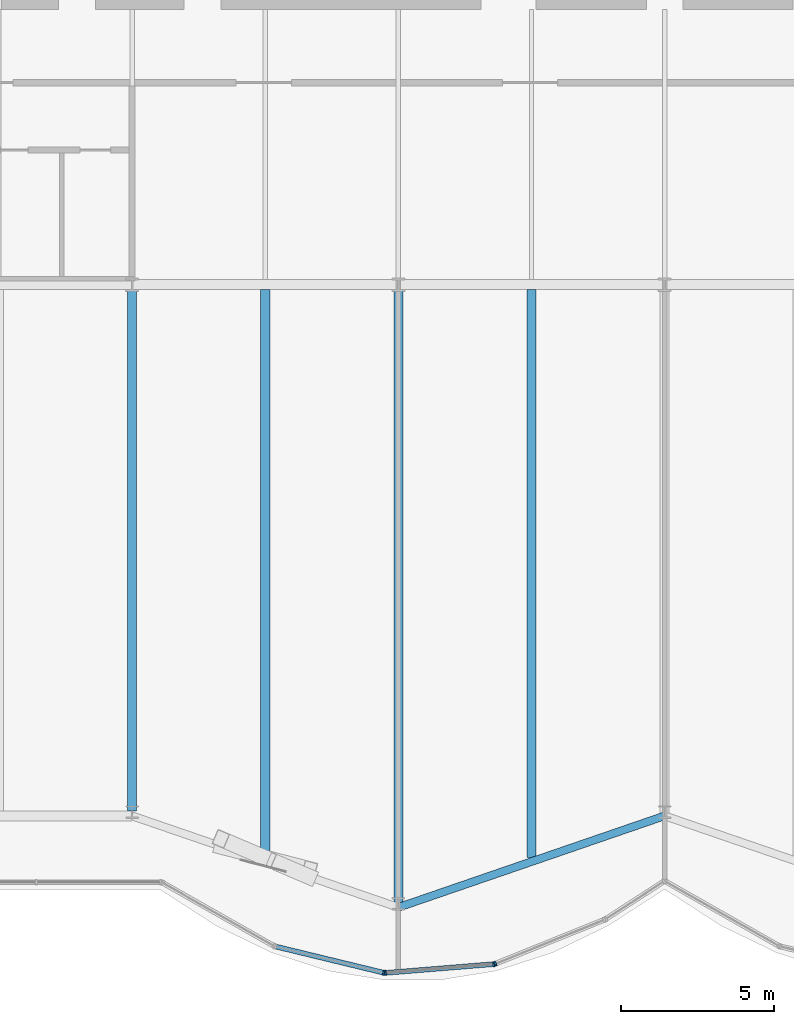
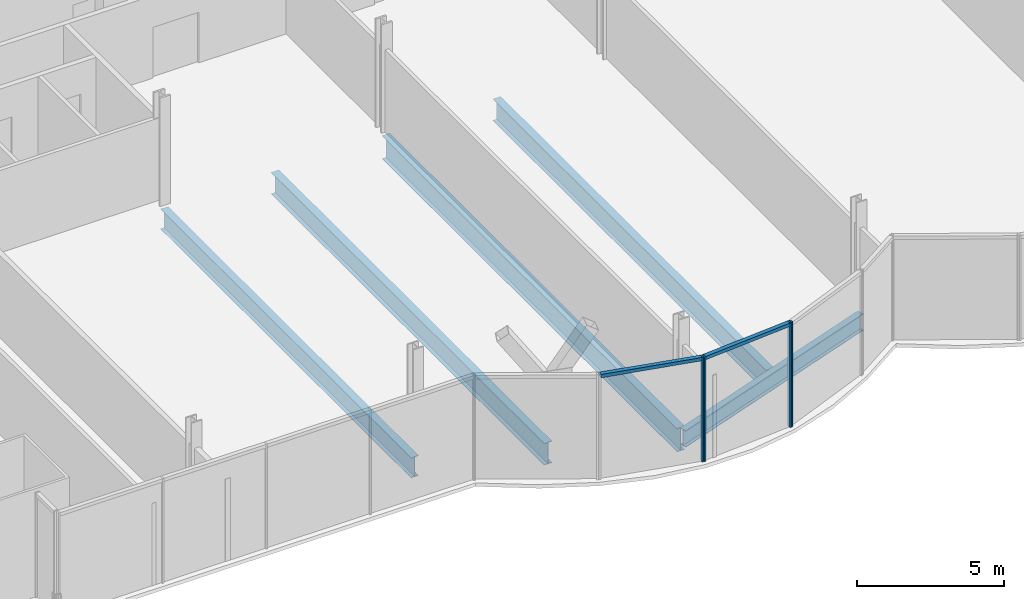
# One storey, part 5 of 22: 6 members, 5 beams, 1 element without a shape of its own.
"""IFC4 building model written with IfcOpenShell, lengths in metres."""

from ifc_helpers import new_model, si_unit, direction, frame, origin, origin_2d, place, context, subcontext, project, spatial, rectangle, i_section, extrude, material, material_profile, profile_set, type_object, element, aggregate, save


model = new_model("IFC4")

# Units and contexts
model_context = context("Model", 3, precision=1e-05, world=origin(), true_north=direction((0.0, 1.0)))
body_context = subcontext(model_context, "Body", "Model", "MODEL_VIEW")
ifc_project = project(units=[si_unit("LENGTHUNIT", "METRE"), si_unit("AREAUNIT", "SQUARE_METRE"), si_unit("VOLUMEUNIT", "CUBIC_METRE"), si_unit("PLANEANGLEUNIT", "RADIAN"), si_unit("MASSUNIT", "GRAM", prefix="KILO")], contexts=[model_context])

# Site, building, storey
site_placement = place(None, origin())
site = spatial("IfcSite", under=ifc_project, at=site_placement, CompositionType="ELEMENT")
building_placement = place(site_placement, origin())
building = spatial("IfcBuilding", under=site, at=building_placement, Name="Bicima Exchange Tower", CompositionType="ELEMENT")
storey_placement = place(building_placement, frame((0.0, 0.0, 39.5)))
storey = spatial("IfcBuildingStorey", under=building, at=storey_placement, Name="L07", CompositionType="ELEMENT", Elevation=39.5)

# Beams
ifc_material_1 = material(Name="Steel ASTM A992 Gr 50", Category="steel")
ifc_material_profile_1 = material_profile(ifc_material_1, i_section(OverallWidth=0.2919921875, OverallDepth=0.835693359375, WebThickness=0.013916015625, FlangeThickness=0.018798828125, at=origin_2d()))
ifc_profile_set_1 = profile_set([ifc_material_profile_1], Name="Steel ASTM A992 Gr 50")
beam_type_1 = type_object("IfcBeamType", Name="Floor beam W33x118", PredefinedType="JOIST", material=ifc_profile_set_1)
beam_1_placement = place(storey_placement, frame((-17.39990234375, -22.16259765625, -0.56787109375), z_axis=(0.0, -1.0, 0.0), x_axis=(1.0, 0.0, 0.0)))
element("IfcBeam", 1, at=beam_1_placement, inside=storey, type_object=beam_type_1, Name="Floor beam", PredefinedType="JOIST", context=body_context, shape_type="SweptSolid", body=[
    extrude(i_section(OverallWidth=0.2919921875, OverallDepth=0.835693359375, WebThickness=0.013916015625, FlangeThickness=0.018798828125, at=origin_2d()), origin(), (0.0, 0.0, 1.0), 17.03076171875),
])
ifc_material_profile_2 = material_profile(ifc_material_1, i_section(OverallWidth=0.3046875, OverallDepth=0.904296875, WebThickness=0.01513671875, FlangeThickness=0.02001953125, at=origin_2d()))
ifc_profile_set_2 = profile_set([ifc_material_profile_2], Name="Steel ASTM A992 Gr 50")
beam_type_2 = type_object("IfcBeamType", Name="Floor beam W36x135", PredefinedType="JOIST", material=ifc_profile_set_2)
for number, where, z_axis, x_axis, name in (
    (2, (-13.050048828125, -22.16259765625, -0.60205078125), (0.0, -1.0, 0.0), (1.0, 0.0, 0.0), "Floor beam"),
    (3, (-4.35009765625, -22.16259765625, -0.60205078125), (0.0, -1.0, 0.0), (1.0, 0.0, 0.0), "Floor beam"),
):
    element("IfcBeam", number, at=place(storey_placement, frame(where, z_axis=z_axis, x_axis=x_axis)), inside=storey, type_object=beam_type_2, Name=name, PredefinedType="JOIST", context=body_context, shape_type="SweptSolid", body=[
        extrude(i_section(OverallWidth=0.3046875, OverallDepth=0.904296875, WebThickness=0.01513671875, FlangeThickness=0.02001953125, at=origin_2d()), origin(), (0.0, 0.0, 1.0), 18.55322265625),
    ])
ifc_material_profile_3 = material_profile(ifc_material_1, i_section(OverallWidth=0.2998046875, OverallDepth=0.97021484375, WebThickness=0.01611328125, FlangeThickness=0.02099609375, at=origin_2d()))
ifc_profile_set_3 = profile_set([ifc_material_profile_3], Name="Steel ASTM A992 Gr 50")
beam_type_3 = type_object("IfcBeamType", Name="Floor beam W40x149", PredefinedType="JOIST", material=ifc_profile_set_3)
beam_2_placement = place(storey_placement, frame((-8.699951171875, -22.16259765625, -0.635009765625), z_axis=(0.0, -1.0, 0.0), x_axis=(1.0, 0.0, 0.0)))
element("IfcBeam", 4, at=beam_2_placement, inside=storey, type_object=beam_type_3, Name="Floor beam", PredefinedType="JOIST", context=body_context, shape_type="SweptSolid", body=[
    extrude(i_section(OverallWidth=0.2998046875, OverallDepth=0.97021484375, WebThickness=0.01611328125, FlangeThickness=0.02099609375, at=origin_2d()), origin(), (0.0, 0.0, 1.0), 20.048828125),
])
ifc_material_profile_4 = material_profile(ifc_material_1, i_section(OverallWidth=0.256591796875, OverallDepth=0.693359375, WebThickness=0.014404296875, FlangeThickness=0.023681640625, at=origin_2d()))
ifc_profile_set_4 = profile_set([ifc_material_profile_4], Name="Steel ASTM A992 Gr 50")
beam_type_4 = type_object("IfcBeamType", Name="Front girder W27x114", PredefinedType="BEAM", material=ifc_profile_set_4)
beam_3_placement = place(storey_placement, frame((-8.699951171875, -42.34716796875, -0.49658203125), z_axis=(0.945666456746, 0.325138359143, 0.0), x_axis=(-0.325138359143, 0.945666456746, 0.0)))
element("IfcBeam", 5, at=beam_3_placement, inside=storey, type_object=beam_type_4, Name="Front girder", PredefinedType="BEAM", context=body_context, shape_type="SweptSolid", body=[
    extrude(i_section(OverallWidth=0.256591796875, OverallDepth=0.693359375, WebThickness=0.014404296875, FlangeThickness=0.023681640625, at=origin_2d()), origin(), (0.0, 0.0, 1.0), 9.19970703125),
])

# Curtain wall, members
ifc_material_2 = material(Name="Anodised bronze aluminium", Category="aluminium")
curtain_wall_type = type_object("IfcCurtainWallType", Name="Front glass wall", PredefinedType="NOTDEFINED", material=ifc_material_2)
curtain_wall_placement = place(storey_placement, origin())
curtain_wall = element("IfcCurtainWall", 6, at=curtain_wall_placement, inside=storey, type_object=curtain_wall_type, Name="Front glass wall L07 run 6", PredefinedType="NOTDEFINED")
ifc_material_profile_5 = material_profile(ifc_material_2, rectangle(XDim=0.159912109375, YDim=0.06005859375, at=origin_2d()))
ifc_profile_set_5 = profile_set([ifc_material_profile_5], Name="Anodised bronze aluminium")
member_type_1 = type_object("IfcMemberType", Name="Front glass wall mullion 60 x 160", PredefinedType="MULLION", material=ifc_profile_set_5)
member_1_placement = place(storey_placement, frame((-9.177490234375, -44.48193359375, 0.0), z_axis=(0.0, 0.0, 1.0), x_axis=(0.235681529503, 0.971830343553, 0.0)))
member_1 = element("IfcMember", 7, at=member_1_placement, type_object=member_type_1, Name="Front glass wall mullion 2", PredefinedType="MULLION", context=body_context, shape_type="SweptSolid", body=[
    extrude(rectangle(XDim=0.159912109375, YDim=0.06005859375, at=origin_2d()), origin(), (0.0, 0.0, 1.0), 4.35009765625),
])
member_2_placement = place(storey_placement, frame((-9.118408203125, -44.486572265625, 0.0), z_axis=(0.0, 0.0, 1.0), x_axis=(-0.080588612633, 0.99674744821, 0.0)))
member_2 = element("IfcMember", 8, at=member_2_placement, type_object=member_type_1, Name="Front glass wall mullion 1", PredefinedType="MULLION", context=body_context, shape_type="SweptSolid", body=[
    extrude(rectangle(XDim=0.159912109375, YDim=0.06005859375, at=origin_2d()), origin(), (0.0, 0.0, 1.0), 4.35009765625),
])
member_3_placement = place(storey_placement, frame((-5.583984375, -44.20068359375, 0.0), z_axis=(0.0, 0.0, 1.0), x_axis=(-0.080588612633, 0.99674744821, 0.0)))
member_3 = element("IfcMember", 9, at=member_3_placement, type_object=member_type_1, Name="Front glass wall mullion 2", PredefinedType="MULLION", context=body_context, shape_type="SweptSolid", body=[
    extrude(rectangle(XDim=0.159912109375, YDim=0.06005859375, at=origin_2d()), origin(), (0.0, 0.0, 1.0), 4.35009765625),
])
member_4_placement = place(storey_placement, frame((-5.526123046875, -44.187255859375, 0.0), z_axis=(0.0, 0.0, 1.0), x_axis=(-0.374705304, 0.92714396679, 0.0)))
member_4 = element("IfcMember", 10, at=member_4_placement, type_object=member_type_1, Name="Front glass wall mullion 1", PredefinedType="MULLION", context=body_context, shape_type="SweptSolid", body=[
    extrude(rectangle(XDim=0.159912109375, YDim=0.06005859375, at=origin_2d()), origin(), (0.0, 0.0, 1.0), 4.35009765625),
])
ifc_material_profile_6 = material_profile(ifc_material_2, rectangle(XDim=0.159912109375, YDim=0.139892578125, at=origin_2d()))
ifc_profile_set_6 = profile_set([ifc_material_profile_6], Name="Anodised bronze aluminium")
member_type_2 = type_object("IfcMemberType", Name="Front glass wall transom 140 x 160", PredefinedType="USERDEFINED", material=ifc_profile_set_6)
member_5_placement = place(storey_placement, frame((-12.68896484375, -43.63037109375, 4.280029296875), z_axis=(0.971833557815, -0.235668275132, 0.0), x_axis=(0.235668275132, 0.971833557815, 0.0)))
member_5 = element("IfcMember", 11, at=member_5_placement, type_object=member_type_2, Name="Front glass wall transom 1.1", ObjectType="TRANSOM", PredefinedType="USERDEFINED", context=body_context, shape_type="SweptSolid", body=[
    extrude(rectangle(XDim=0.159912109375, YDim=0.139892578125, at=origin_2d()), origin(), (0.0, 0.0, 1.0), 3.583251953125),
])
member_6_placement = place(storey_placement, frame((-9.08837890625, -44.484130859375, 4.280029296875), z_axis=(0.9967456465, 0.080610893699, 0.0), x_axis=(-0.080610893699, 0.9967456465, 0.0)))
member_6 = element("IfcMember", 12, at=member_6_placement, type_object=member_type_2, Name="Front glass wall transom 1.1", ObjectType="TRANSOM", PredefinedType="USERDEFINED", context=body_context, shape_type="SweptSolid", body=[
    extrude(rectangle(XDim=0.159912109375, YDim=0.139892578125, at=origin_2d()), origin(), (0.0, 0.0, 1.0), 3.48583984375),
])
aggregate(curtain_wall, [member_1, member_5, member_2, member_3, member_6, member_4])

save(model, "model.ifc")
